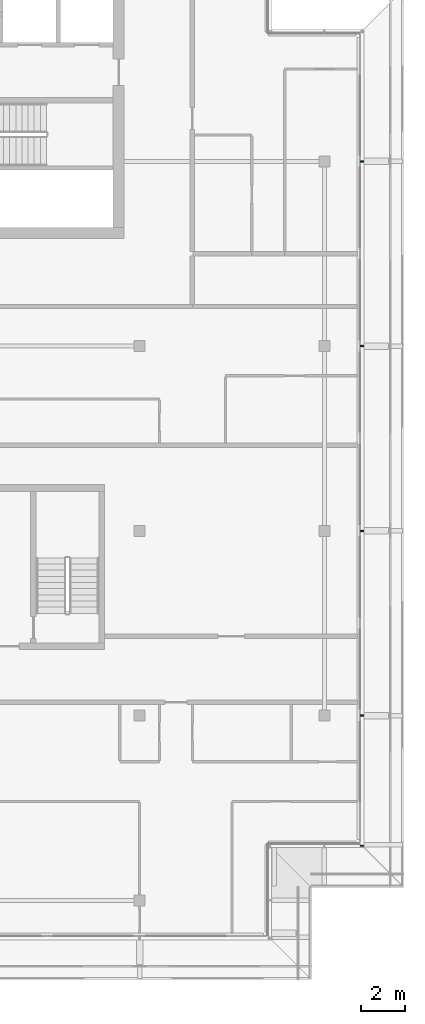
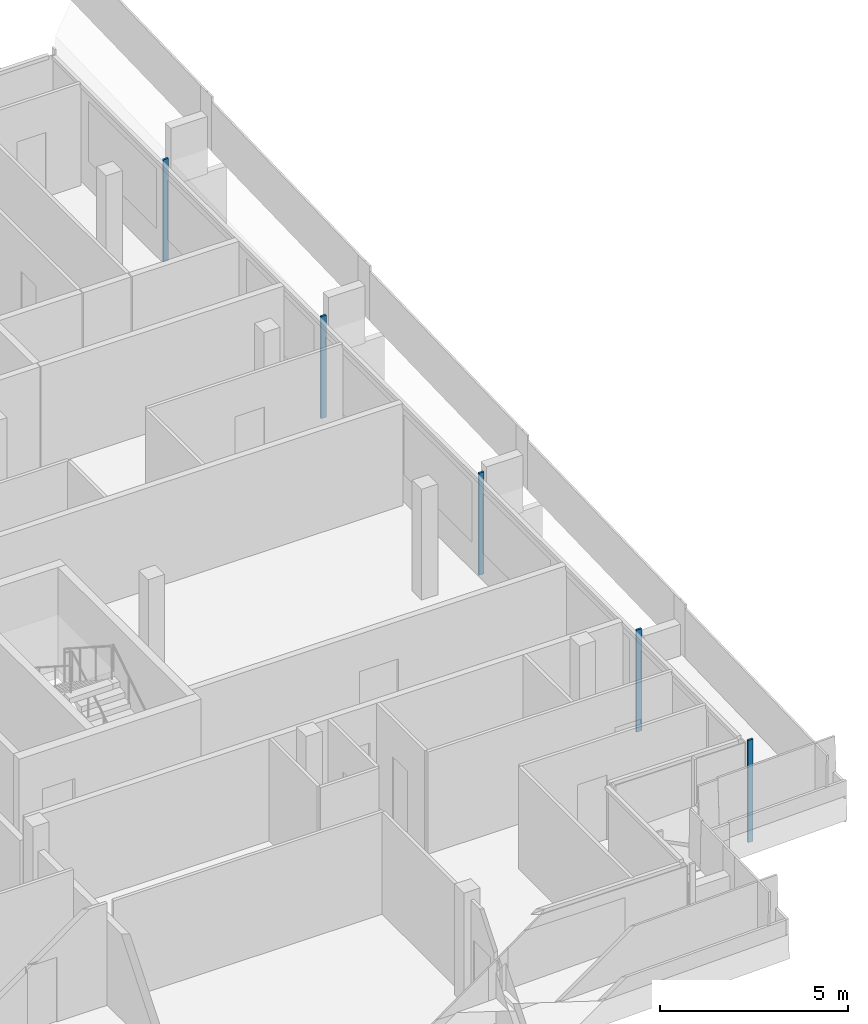
# One storey, part 11 of 26: 5 members, 1 element without a shape of its own.
"""IFC4 building model written with IfcOpenShell, lengths in metres."""

from ifc_helpers import new_model, si_unit, direction, frame, origin, origin_2d, place, context, subcontext, project, spatial, rectangle, extrude, material, material_profile, profile_set, type_object, element, aggregate, save


model = new_model("IFC4")

# Units and contexts
model_context = context("Model", 3, precision=1e-05, world=origin(), true_north=direction((0.0, 1.0)))
body_context = subcontext(model_context, "Body", "Model", "MODEL_VIEW")
ifc_project = project(units=[si_unit("LENGTHUNIT", "METRE"), si_unit("AREAUNIT", "SQUARE_METRE"), si_unit("VOLUMEUNIT", "CUBIC_METRE"), si_unit("PLANEANGLEUNIT", "RADIAN"), si_unit("MASSUNIT", "GRAM", prefix="KILO")], contexts=[model_context])

# Site, building, storey
site_placement = place(None, origin())
site = spatial("IfcSite", under=ifc_project, at=site_placement, CompositionType="ELEMENT")
building_placement = place(site_placement, origin())
building = spatial("IfcBuilding", under=site, at=building_placement, Name="Saffron Gate Tower", CompositionType="ELEMENT")
storey_placement = place(building_placement, frame((0.0, 0.0, 277.949951171875)))
storey = spatial("IfcBuildingStorey", under=building, at=storey_placement, Name="L67", CompositionType="ELEMENT", Elevation=277.949951171875)

# Curtain wall, members
ifc_material = material(Name="Aluminium, bronze anodised", Category="aluminium")
curtain_wall_type = type_object("IfcCurtainWallType", Name="CWS2 curtain wall side facades", PredefinedType="NOTDEFINED", material=ifc_material)
curtain_wall_placement = place(storey_placement, origin())
curtain_wall = element("IfcCurtainWall", 1, at=curtain_wall_placement, inside=storey, type_object=curtain_wall_type, Name="CWS2 run 4", PredefinedType="NOTDEFINED")
ifc_material_profile = material_profile(ifc_material, rectangle(XDim=0.159912109375, YDim=0.06005859375, at=origin_2d()))
ifc_profile_set = profile_set([ifc_material_profile], Name="Aluminium, bronze anodised")
member_type = type_object("IfcMemberType", Name="CWS2 mullion 60x160", PredefinedType="MULLION", material=ifc_profile_set)
member_1_placement = place(storey_placement, frame((118.719970703125, 34.280029296875, 0.0), z_axis=(0.0, 0.0, 1.0), x_axis=(-1.0, 0.0, 0.0)))
member_1 = element("IfcMember", 2, at=member_1_placement, type_object=member_type, Name="CWS2 mullion 1", PredefinedType="MULLION", context=body_context, shape_type="SweptSolid", body=[
    extrude(rectangle(XDim=0.159912109375, YDim=0.06005859375, at=origin_2d()), origin(), (0.0, 0.0, 1.0), 3.320068359375),
])
member_2_placement = place(storey_placement, frame((118.719970703125, 40.199951171875, 0.0), z_axis=(0.0, 0.0, 1.0), x_axis=(-1.0, 0.0, 0.0)))
member_2 = element("IfcMember", 3, at=member_2_placement, type_object=member_type, Name="CWS2 mullion 2", PredefinedType="MULLION", context=body_context, shape_type="SweptSolid", body=[
    extrude(rectangle(XDim=0.159912109375, YDim=0.06005859375, at=origin_2d()), origin(), (0.0, 0.0, 1.0), 3.320068359375),
])
member_3_placement = place(storey_placement, frame((118.719970703125, 48.60009765625, 0.0), z_axis=(0.0, 0.0, 1.0), x_axis=(-1.0, 0.0, 0.0)))
member_3 = element("IfcMember", 4, at=member_3_placement, type_object=member_type, Name="CWS2 mullion 3", PredefinedType="MULLION", context=body_context, shape_type="SweptSolid", body=[
    extrude(rectangle(XDim=0.159912109375, YDim=0.06005859375, at=origin_2d()), origin(), (0.0, 0.0, 1.0), 3.320068359375),
])
member_4_placement = place(storey_placement, frame((118.719970703125, 57.0, 0.0), z_axis=(0.0, 0.0, 1.0), x_axis=(-1.0, 0.0, 0.0)))
member_4 = element("IfcMember", 5, at=member_4_placement, type_object=member_type, Name="CWS2 mullion 4", PredefinedType="MULLION", context=body_context, shape_type="SweptSolid", body=[
    extrude(rectangle(XDim=0.159912109375, YDim=0.06005859375, at=origin_2d()), origin(), (0.0, 0.0, 1.0), 3.320068359375),
])
member_5_placement = place(storey_placement, frame((118.719970703125, 65.39990234375, 0.0), z_axis=(0.0, 0.0, 1.0), x_axis=(-1.0, 0.0, 0.0)))
member_5 = element("IfcMember", 6, at=member_5_placement, type_object=member_type, Name="CWS2 mullion 5", PredefinedType="MULLION", context=body_context, shape_type="SweptSolid", body=[
    extrude(rectangle(XDim=0.159912109375, YDim=0.06005859375, at=origin_2d()), origin(), (0.0, 0.0, 1.0), 3.320068359375),
])
aggregate(curtain_wall, [member_1, member_2, member_3, member_4, member_5])

save(model, "model.ifc")
